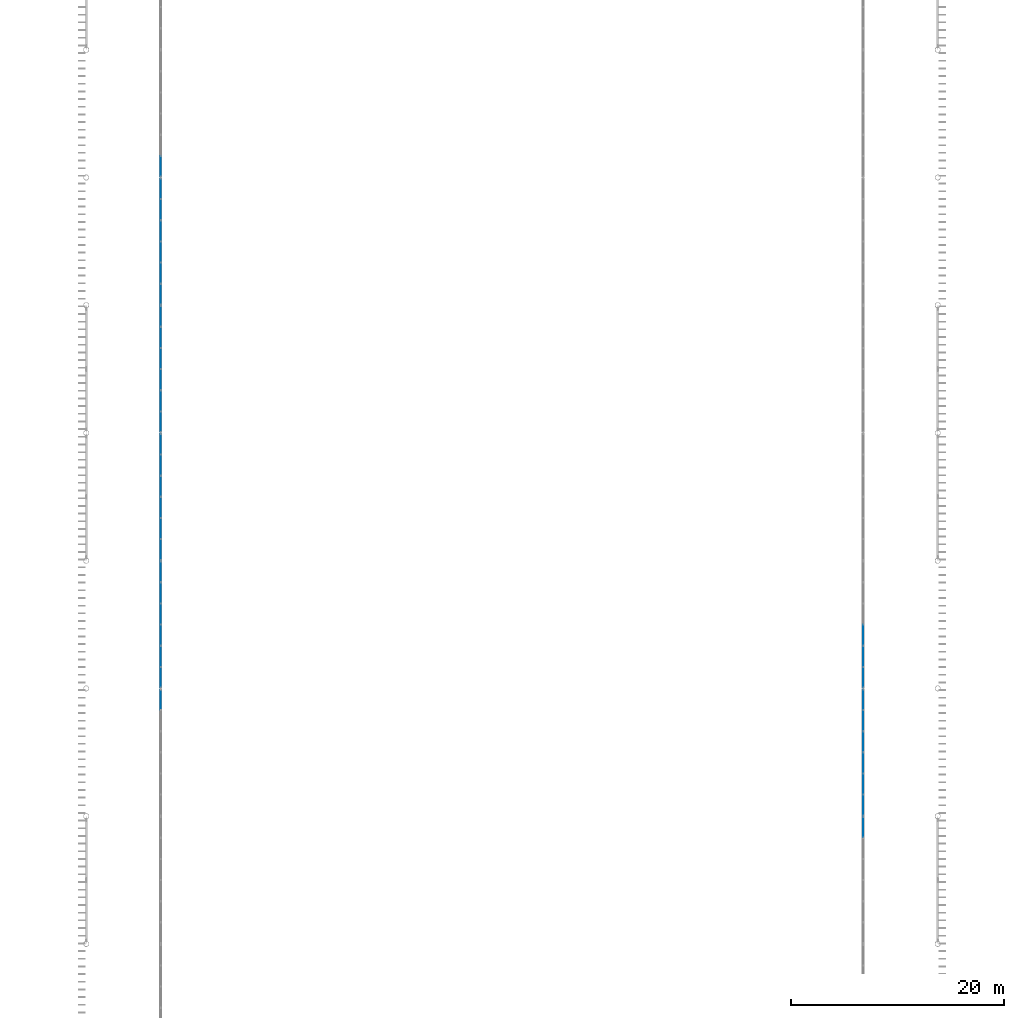
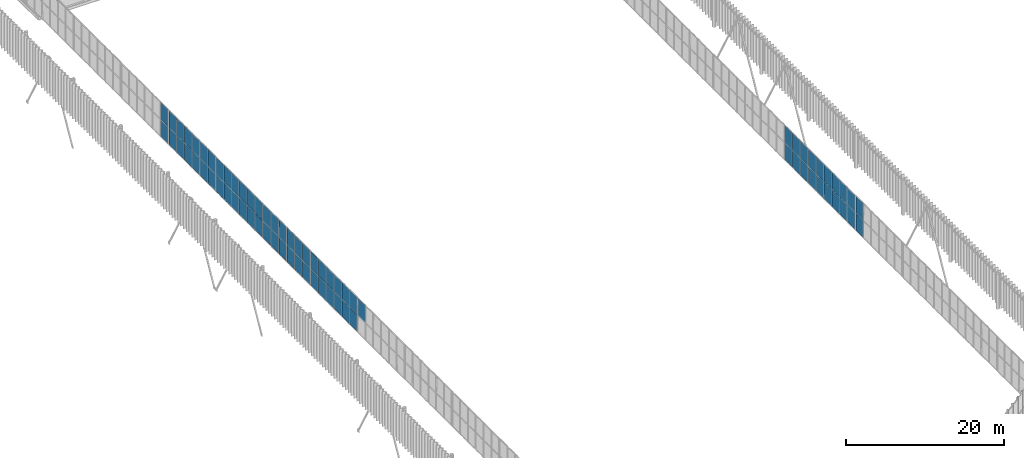
# One storey, part 89 of 170: 71 plates, 9 elements without a shape of their own.
"""IFC4 building model written with IfcOpenShell, lengths in metres."""

from ifc_helpers import new_model, si_unit, direction, frame, origin, origin_2d, place, context, subcontext, project, spatial, rectangle, extrude, material, layer, layer_set, type_object, element, aggregate, save


model = new_model("IFC4")

# Units and contexts
model_context = context("Model", 3, precision=1e-05, world=origin(), true_north=direction((0.0, 1.0)))
body_context = subcontext(model_context, "Body", "Model", "MODEL_VIEW")
ifc_project = project(units=[si_unit("LENGTHUNIT", "METRE"), si_unit("AREAUNIT", "SQUARE_METRE"), si_unit("VOLUMEUNIT", "CUBIC_METRE"), si_unit("PLANEANGLEUNIT", "RADIAN"), si_unit("MASSUNIT", "GRAM", prefix="KILO")], contexts=[model_context])

# Site, building, storey
site_placement = place(None, origin())
site = spatial("IfcSite", under=ifc_project, at=site_placement, CompositionType="ELEMENT")
building_placement = place(site_placement, origin())
building = spatial("IfcBuilding", under=site, at=building_placement, Name="Ravi Spectrum Wholesale Market", CompositionType="ELEMENT")
storey_placement = place(building_placement, frame((0.0, 0.0, 5.39990234375)))
storey = spatial("IfcBuildingStorey", under=building, at=storey_placement, Name="L01", CompositionType="ELEMENT", Elevation=5.39990234375)

# Curtain wall, plate
ifc_material_1 = material(Name="Aluminium 6063-T6", Category="aluminium")
ifc_layer_1 = layer(ifc_material_1, 0.14990234375)
ifc_layer_set_1 = layer_set([ifc_layer_1], Name="Aluminium 6063-T6")
curtain_wall_type = type_object("IfcCurtainWallType", Name="Curtain wall 150", PredefinedType="NOTDEFINED", material=ifc_layer_set_1)
curtain_wall_1_placement = place(storey_placement, origin())
curtain_wall_1 = element("IfcCurtainWall", 1, at=curtain_wall_1_placement, inside=storey, type_object=curtain_wall_type, Name="H1-CW-L01-005", PredefinedType="NOTDEFINED")
ifc_material_2 = material(Name="Toughened glass", Category="glass")
ifc_layer_2 = layer(ifc_material_2, 0.028076171875)
ifc_layer_set_2 = layer_set([ifc_layer_2], Name="Toughened glass")
plate_type = type_object("IfcPlateType", Name="Glazing panel 28", PredefinedType="CURTAIN_PANEL", material=ifc_layer_set_2)
plate_1_placement = place(storey_placement, frame((37.0, 88.95166015625, 2.72998046875), z_axis=(0.0, 0.0, 1.0), x_axis=(0.0, 1.0, 0.0)))
plate_1 = element("IfcPlate", 2, at=plate_1_placement, type_object=plate_type, Name="H1-CW-L01-005 panel 6.2", PredefinedType="CURTAIN_PANEL", context=body_context, shape_type="SweptSolid", body=[
    extrude(rectangle(XDim=1.896728515625, YDim=0.028076171875, at=origin_2d()), origin(), (0.0, 0.0, 1.0), 2.610107421875),
])
aggregate(curtain_wall_1, [plate_1])

# Curtain wall, plates
curtain_wall_2_placement = place(storey_placement, origin())
curtain_wall_2 = element("IfcCurtainWall", 3, at=curtain_wall_2_placement, inside=storey, type_object=curtain_wall_type, Name="H1-CW-L01-006", PredefinedType="NOTDEFINED")
plate_2_placement = place(storey_placement, frame((37.0, 91.04833984375, 0.06005859375), z_axis=(0.0, 0.0, 1.0), x_axis=(0.0, 1.0, 0.0)))
plate_2 = element("IfcPlate", 4, at=plate_2_placement, type_object=plate_type, Name="H1-CW-L01-006 panel 1.1", PredefinedType="CURTAIN_PANEL", context=body_context, shape_type="SweptSolid", body=[
    extrude(rectangle(XDim=1.896728515625, YDim=0.028076171875, at=origin_2d()), origin(), (0.0, 0.0, 1.0), 2.610107421875),
])
plate_3_placement = place(storey_placement, frame((37.0, 91.04833984375, 2.72998046875), z_axis=(0.0, 0.0, 1.0), x_axis=(0.0, 1.0, 0.0)))
plate_3 = element("IfcPlate", 5, at=plate_3_placement, type_object=plate_type, Name="H1-CW-L01-006 panel 1.2", PredefinedType="CURTAIN_PANEL", context=body_context, shape_type="SweptSolid", body=[
    extrude(rectangle(XDim=1.896728515625, YDim=0.028076171875, at=origin_2d()), origin(), (0.0, 0.0, 1.0), 2.610107421875),
])
plate_4_placement = place(storey_placement, frame((37.0, 93.02001953125, 0.06005859375), z_axis=(0.0, 0.0, 1.0), x_axis=(0.0, 1.0, 0.0)))
plate_4 = element("IfcPlate", 6, at=plate_4_placement, type_object=plate_type, Name="H1-CW-L01-006 panel 2.1", PredefinedType="CURTAIN_PANEL", context=body_context, shape_type="SweptSolid", body=[
    extrude(rectangle(XDim=1.9267578125, YDim=0.028076171875, at=origin_2d()), origin(), (0.0, 0.0, 1.0), 2.610107421875),
])
plate_5_placement = place(storey_placement, frame((37.0, 93.02001953125, 2.72998046875), z_axis=(0.0, 0.0, 1.0), x_axis=(0.0, 1.0, 0.0)))
plate_5 = element("IfcPlate", 7, at=plate_5_placement, type_object=plate_type, Name="H1-CW-L01-006 panel 2.2", PredefinedType="CURTAIN_PANEL", context=body_context, shape_type="SweptSolid", body=[
    extrude(rectangle(XDim=1.9267578125, YDim=0.028076171875, at=origin_2d()), origin(), (0.0, 0.0, 1.0), 2.610107421875),
])
plate_6_placement = place(storey_placement, frame((37.0, 95.006591796875, 0.06005859375), z_axis=(0.0, 0.0, 1.0), x_axis=(0.0, 1.0, 0.0)))
plate_6 = element("IfcPlate", 8, at=plate_6_placement, type_object=plate_type, Name="H1-CW-L01-006 panel 3.1", PredefinedType="CURTAIN_PANEL", context=body_context, shape_type="SweptSolid", body=[
    extrude(rectangle(XDim=1.9267578125, YDim=0.028076171875, at=origin_2d()), origin(), (0.0, 0.0, 1.0), 2.610107421875),
])
plate_7_placement = place(storey_placement, frame((37.0, 95.006591796875, 2.72998046875), z_axis=(0.0, 0.0, 1.0), x_axis=(0.0, 1.0, 0.0)))
plate_7 = element("IfcPlate", 9, at=plate_7_placement, type_object=plate_type, Name="H1-CW-L01-006 panel 3.2", PredefinedType="CURTAIN_PANEL", context=body_context, shape_type="SweptSolid", body=[
    extrude(rectangle(XDim=1.9267578125, YDim=0.028076171875, at=origin_2d()), origin(), (0.0, 0.0, 1.0), 2.610107421875),
])
plate_8_placement = place(storey_placement, frame((37.0, 96.993408203125, 0.06005859375), z_axis=(0.0, 0.0, 1.0), x_axis=(0.0, 1.0, 0.0)))
plate_8 = element("IfcPlate", 10, at=plate_8_placement, type_object=plate_type, Name="H1-CW-L01-006 panel 4.1", PredefinedType="CURTAIN_PANEL", context=body_context, shape_type="SweptSolid", body=[
    extrude(rectangle(XDim=1.9267578125, YDim=0.028076171875, at=origin_2d()), origin(), (0.0, 0.0, 1.0), 2.610107421875),
])
plate_9_placement = place(storey_placement, frame((37.0, 96.993408203125, 2.72998046875), z_axis=(0.0, 0.0, 1.0), x_axis=(0.0, 1.0, 0.0)))
plate_9 = element("IfcPlate", 11, at=plate_9_placement, type_object=plate_type, Name="H1-CW-L01-006 panel 4.2", PredefinedType="CURTAIN_PANEL", context=body_context, shape_type="SweptSolid", body=[
    extrude(rectangle(XDim=1.9267578125, YDim=0.028076171875, at=origin_2d()), origin(), (0.0, 0.0, 1.0), 2.610107421875),
])
plate_10_placement = place(storey_placement, frame((37.0, 98.97998046875, 0.06005859375), z_axis=(0.0, 0.0, 1.0), x_axis=(0.0, 1.0, 0.0)))
plate_10 = element("IfcPlate", 12, at=plate_10_placement, type_object=plate_type, Name="H1-CW-L01-006 panel 5.1", PredefinedType="CURTAIN_PANEL", context=body_context, shape_type="SweptSolid", body=[
    extrude(rectangle(XDim=1.9267578125, YDim=0.028076171875, at=origin_2d()), origin(), (0.0, 0.0, 1.0), 2.610107421875),
])
plate_11_placement = place(storey_placement, frame((37.0, 98.97998046875, 2.72998046875), z_axis=(0.0, 0.0, 1.0), x_axis=(0.0, 1.0, 0.0)))
plate_11 = element("IfcPlate", 13, at=plate_11_placement, type_object=plate_type, Name="H1-CW-L01-006 panel 5.2", PredefinedType="CURTAIN_PANEL", context=body_context, shape_type="SweptSolid", body=[
    extrude(rectangle(XDim=1.9267578125, YDim=0.028076171875, at=origin_2d()), origin(), (0.0, 0.0, 1.0), 2.610107421875),
])
plate_12_placement = place(storey_placement, frame((37.0, 100.95166015625, 0.06005859375), z_axis=(0.0, 0.0, 1.0), x_axis=(0.0, 1.0, 0.0)))
plate_12 = element("IfcPlate", 14, at=plate_12_placement, type_object=plate_type, Name="H1-CW-L01-006 panel 6.1", PredefinedType="CURTAIN_PANEL", context=body_context, shape_type="SweptSolid", body=[
    extrude(rectangle(XDim=1.896728515625, YDim=0.028076171875, at=origin_2d()), origin(), (0.0, 0.0, 1.0), 2.610107421875),
])
plate_13_placement = place(storey_placement, frame((37.0, 100.95166015625, 2.72998046875), z_axis=(0.0, 0.0, 1.0), x_axis=(0.0, 1.0, 0.0)))
plate_13 = element("IfcPlate", 15, at=plate_13_placement, type_object=plate_type, Name="H1-CW-L01-006 panel 6.2", PredefinedType="CURTAIN_PANEL", context=body_context, shape_type="SweptSolid", body=[
    extrude(rectangle(XDim=1.896728515625, YDim=0.028076171875, at=origin_2d()), origin(), (0.0, 0.0, 1.0), 2.610107421875),
])
aggregate(curtain_wall_2, [plate_2, plate_3, plate_4, plate_5, plate_6, plate_7, plate_8, plate_9, plate_10, plate_11, plate_12, plate_13])

curtain_wall_3_placement = place(storey_placement, origin())
curtain_wall_3 = element("IfcCurtainWall", 16, at=curtain_wall_3_placement, inside=storey, type_object=curtain_wall_type, Name="H1-CW-L01-007", PredefinedType="NOTDEFINED")
plate_14_placement = place(storey_placement, frame((37.0, 103.04833984375, 0.06005859375), z_axis=(0.0, 0.0, 1.0), x_axis=(0.0, 1.0, 0.0)))
plate_14 = element("IfcPlate", 17, at=plate_14_placement, type_object=plate_type, Name="H1-CW-L01-007 panel 1.1", PredefinedType="CURTAIN_PANEL", context=body_context, shape_type="SweptSolid", body=[
    extrude(rectangle(XDim=1.896728515625, YDim=0.028076171875, at=origin_2d()), origin(), (0.0, 0.0, 1.0), 2.610107421875),
])
plate_15_placement = place(storey_placement, frame((37.0, 103.04833984375, 2.72998046875), z_axis=(0.0, 0.0, 1.0), x_axis=(0.0, 1.0, 0.0)))
plate_15 = element("IfcPlate", 18, at=plate_15_placement, type_object=plate_type, Name="H1-CW-L01-007 panel 1.2", PredefinedType="CURTAIN_PANEL", context=body_context, shape_type="SweptSolid", body=[
    extrude(rectangle(XDim=1.896728515625, YDim=0.028076171875, at=origin_2d()), origin(), (0.0, 0.0, 1.0), 2.610107421875),
])
plate_16_placement = place(storey_placement, frame((37.0, 105.02001953125, 0.06005859375), z_axis=(0.0, 0.0, 1.0), x_axis=(0.0, 1.0, 0.0)))
plate_16 = element("IfcPlate", 19, at=plate_16_placement, type_object=plate_type, Name="H1-CW-L01-007 panel 2.1", PredefinedType="CURTAIN_PANEL", context=body_context, shape_type="SweptSolid", body=[
    extrude(rectangle(XDim=1.9267578125, YDim=0.028076171875, at=origin_2d()), origin(), (0.0, 0.0, 1.0), 2.610107421875),
])
plate_17_placement = place(storey_placement, frame((37.0, 105.02001953125, 2.72998046875), z_axis=(0.0, 0.0, 1.0), x_axis=(0.0, 1.0, 0.0)))
plate_17 = element("IfcPlate", 20, at=plate_17_placement, type_object=plate_type, Name="H1-CW-L01-007 panel 2.2", PredefinedType="CURTAIN_PANEL", context=body_context, shape_type="SweptSolid", body=[
    extrude(rectangle(XDim=1.9267578125, YDim=0.028076171875, at=origin_2d()), origin(), (0.0, 0.0, 1.0), 2.610107421875),
])
plate_18_placement = place(storey_placement, frame((37.0, 107.006591796875, 0.06005859375), z_axis=(0.0, 0.0, 1.0), x_axis=(0.0, 1.0, 0.0)))
plate_18 = element("IfcPlate", 21, at=plate_18_placement, type_object=plate_type, Name="H1-CW-L01-007 panel 3.1", PredefinedType="CURTAIN_PANEL", context=body_context, shape_type="SweptSolid", body=[
    extrude(rectangle(XDim=1.9267578125, YDim=0.028076171875, at=origin_2d()), origin(), (0.0, 0.0, 1.0), 2.610107421875),
])
plate_19_placement = place(storey_placement, frame((37.0, 107.006591796875, 2.72998046875), z_axis=(0.0, 0.0, 1.0), x_axis=(0.0, 1.0, 0.0)))
plate_19 = element("IfcPlate", 22, at=plate_19_placement, type_object=plate_type, Name="H1-CW-L01-007 panel 3.2", PredefinedType="CURTAIN_PANEL", context=body_context, shape_type="SweptSolid", body=[
    extrude(rectangle(XDim=1.9267578125, YDim=0.028076171875, at=origin_2d()), origin(), (0.0, 0.0, 1.0), 2.610107421875),
])
plate_20_placement = place(storey_placement, frame((37.0, 108.993408203125, 0.06005859375), z_axis=(0.0, 0.0, 1.0), x_axis=(0.0, 1.0, 0.0)))
plate_20 = element("IfcPlate", 23, at=plate_20_placement, type_object=plate_type, Name="H1-CW-L01-007 panel 4.1", PredefinedType="CURTAIN_PANEL", context=body_context, shape_type="SweptSolid", body=[
    extrude(rectangle(XDim=1.9267578125, YDim=0.028076171875, at=origin_2d()), origin(), (0.0, 0.0, 1.0), 2.610107421875),
])
plate_21_placement = place(storey_placement, frame((37.0, 108.993408203125, 2.72998046875), z_axis=(0.0, 0.0, 1.0), x_axis=(0.0, 1.0, 0.0)))
plate_21 = element("IfcPlate", 24, at=plate_21_placement, type_object=plate_type, Name="H1-CW-L01-007 panel 4.2", PredefinedType="CURTAIN_PANEL", context=body_context, shape_type="SweptSolid", body=[
    extrude(rectangle(XDim=1.9267578125, YDim=0.028076171875, at=origin_2d()), origin(), (0.0, 0.0, 1.0), 2.610107421875),
])
plate_22_placement = place(storey_placement, frame((37.0, 110.97998046875, 0.06005859375), z_axis=(0.0, 0.0, 1.0), x_axis=(0.0, 1.0, 0.0)))
plate_22 = element("IfcPlate", 25, at=plate_22_placement, type_object=plate_type, Name="H1-CW-L01-007 panel 5.1", PredefinedType="CURTAIN_PANEL", context=body_context, shape_type="SweptSolid", body=[
    extrude(rectangle(XDim=1.9267578125, YDim=0.028076171875, at=origin_2d()), origin(), (0.0, 0.0, 1.0), 2.610107421875),
])
plate_23_placement = place(storey_placement, frame((37.0, 110.97998046875, 2.72998046875), z_axis=(0.0, 0.0, 1.0), x_axis=(0.0, 1.0, 0.0)))
plate_23 = element("IfcPlate", 26, at=plate_23_placement, type_object=plate_type, Name="H1-CW-L01-007 panel 5.2", PredefinedType="CURTAIN_PANEL", context=body_context, shape_type="SweptSolid", body=[
    extrude(rectangle(XDim=1.9267578125, YDim=0.028076171875, at=origin_2d()), origin(), (0.0, 0.0, 1.0), 2.610107421875),
])
plate_24_placement = place(storey_placement, frame((37.0, 112.95166015625, 0.06005859375), z_axis=(0.0, 0.0, 1.0), x_axis=(0.0, 1.0, 0.0)))
plate_24 = element("IfcPlate", 27, at=plate_24_placement, type_object=plate_type, Name="H1-CW-L01-007 panel 6.1", PredefinedType="CURTAIN_PANEL", context=body_context, shape_type="SweptSolid", body=[
    extrude(rectangle(XDim=1.896728515625, YDim=0.028076171875, at=origin_2d()), origin(), (0.0, 0.0, 1.0), 2.610107421875),
])
plate_25_placement = place(storey_placement, frame((37.0, 112.95166015625, 2.72998046875), z_axis=(0.0, 0.0, 1.0), x_axis=(0.0, 1.0, 0.0)))
plate_25 = element("IfcPlate", 28, at=plate_25_placement, type_object=plate_type, Name="H1-CW-L01-007 panel 6.2", PredefinedType="CURTAIN_PANEL", context=body_context, shape_type="SweptSolid", body=[
    extrude(rectangle(XDim=1.896728515625, YDim=0.028076171875, at=origin_2d()), origin(), (0.0, 0.0, 1.0), 2.610107421875),
])
aggregate(curtain_wall_3, [plate_14, plate_15, plate_16, plate_17, plate_18, plate_19, plate_20, plate_21, plate_22, plate_23, plate_24, plate_25])

curtain_wall_4_placement = place(storey_placement, origin())
curtain_wall_4 = element("IfcCurtainWall", 29, at=curtain_wall_4_placement, inside=storey, type_object=curtain_wall_type, Name="H1-CW-L01-008", PredefinedType="NOTDEFINED")
plate_26_placement = place(storey_placement, frame((37.0, 115.04833984375, 0.06005859375), z_axis=(0.0, 0.0, 1.0), x_axis=(0.0, 1.0, 0.0)))
plate_26 = element("IfcPlate", 30, at=plate_26_placement, type_object=plate_type, Name="H1-CW-L01-008 panel 1.1", PredefinedType="CURTAIN_PANEL", context=body_context, shape_type="SweptSolid", body=[
    extrude(rectangle(XDim=1.896728515625, YDim=0.028076171875, at=origin_2d()), origin(), (0.0, 0.0, 1.0), 2.610107421875),
])
plate_27_placement = place(storey_placement, frame((37.0, 115.04833984375, 2.72998046875), z_axis=(0.0, 0.0, 1.0), x_axis=(0.0, 1.0, 0.0)))
plate_27 = element("IfcPlate", 31, at=plate_27_placement, type_object=plate_type, Name="H1-CW-L01-008 panel 1.2", PredefinedType="CURTAIN_PANEL", context=body_context, shape_type="SweptSolid", body=[
    extrude(rectangle(XDim=1.896728515625, YDim=0.028076171875, at=origin_2d()), origin(), (0.0, 0.0, 1.0), 2.610107421875),
])
plate_28_placement = place(storey_placement, frame((37.0, 117.02001953125, 0.06005859375), z_axis=(0.0, 0.0, 1.0), x_axis=(0.0, 1.0, 0.0)))
plate_28 = element("IfcPlate", 32, at=plate_28_placement, type_object=plate_type, Name="H1-CW-L01-008 panel 2.1", PredefinedType="CURTAIN_PANEL", context=body_context, shape_type="SweptSolid", body=[
    extrude(rectangle(XDim=1.9267578125, YDim=0.028076171875, at=origin_2d()), origin(), (0.0, 0.0, 1.0), 2.610107421875),
])
plate_29_placement = place(storey_placement, frame((37.0, 117.02001953125, 2.72998046875), z_axis=(0.0, 0.0, 1.0), x_axis=(0.0, 1.0, 0.0)))
plate_29 = element("IfcPlate", 33, at=plate_29_placement, type_object=plate_type, Name="H1-CW-L01-008 panel 2.2", PredefinedType="CURTAIN_PANEL", context=body_context, shape_type="SweptSolid", body=[
    extrude(rectangle(XDim=1.9267578125, YDim=0.028076171875, at=origin_2d()), origin(), (0.0, 0.0, 1.0), 2.610107421875),
])
plate_30_placement = place(storey_placement, frame((37.0, 119.006591796875, 0.06005859375), z_axis=(0.0, 0.0, 1.0), x_axis=(0.0, 1.0, 0.0)))
plate_30 = element("IfcPlate", 34, at=plate_30_placement, type_object=plate_type, Name="H1-CW-L01-008 panel 3.1", PredefinedType="CURTAIN_PANEL", context=body_context, shape_type="SweptSolid", body=[
    extrude(rectangle(XDim=1.9267578125, YDim=0.028076171875, at=origin_2d()), origin(), (0.0, 0.0, 1.0), 2.610107421875),
])
plate_31_placement = place(storey_placement, frame((37.0, 119.006591796875, 2.72998046875), z_axis=(0.0, 0.0, 1.0), x_axis=(0.0, 1.0, 0.0)))
plate_31 = element("IfcPlate", 35, at=plate_31_placement, type_object=plate_type, Name="H1-CW-L01-008 panel 3.2", PredefinedType="CURTAIN_PANEL", context=body_context, shape_type="SweptSolid", body=[
    extrude(rectangle(XDim=1.9267578125, YDim=0.028076171875, at=origin_2d()), origin(), (0.0, 0.0, 1.0), 2.610107421875),
])
plate_32_placement = place(storey_placement, frame((37.0, 120.993408203125, 0.06005859375), z_axis=(0.0, 0.0, 1.0), x_axis=(0.0, 1.0, 0.0)))
plate_32 = element("IfcPlate", 36, at=plate_32_placement, type_object=plate_type, Name="H1-CW-L01-008 panel 4.1", PredefinedType="CURTAIN_PANEL", context=body_context, shape_type="SweptSolid", body=[
    extrude(rectangle(XDim=1.9267578125, YDim=0.028076171875, at=origin_2d()), origin(), (0.0, 0.0, 1.0), 2.610107421875),
])
plate_33_placement = place(storey_placement, frame((37.0, 120.993408203125, 2.72998046875), z_axis=(0.0, 0.0, 1.0), x_axis=(0.0, 1.0, 0.0)))
plate_33 = element("IfcPlate", 37, at=plate_33_placement, type_object=plate_type, Name="H1-CW-L01-008 panel 4.2", PredefinedType="CURTAIN_PANEL", context=body_context, shape_type="SweptSolid", body=[
    extrude(rectangle(XDim=1.9267578125, YDim=0.028076171875, at=origin_2d()), origin(), (0.0, 0.0, 1.0), 2.610107421875),
])
plate_34_placement = place(storey_placement, frame((37.0, 122.97998046875, 0.06005859375), z_axis=(0.0, 0.0, 1.0), x_axis=(0.0, 1.0, 0.0)))
plate_34 = element("IfcPlate", 38, at=plate_34_placement, type_object=plate_type, Name="H1-CW-L01-008 panel 5.1", PredefinedType="CURTAIN_PANEL", context=body_context, shape_type="SweptSolid", body=[
    extrude(rectangle(XDim=1.9267578125, YDim=0.028076171875, at=origin_2d()), origin(), (0.0, 0.0, 1.0), 2.610107421875),
])
plate_35_placement = place(storey_placement, frame((37.0, 122.97998046875, 2.72998046875), z_axis=(0.0, 0.0, 1.0), x_axis=(0.0, 1.0, 0.0)))
plate_35 = element("IfcPlate", 39, at=plate_35_placement, type_object=plate_type, Name="H1-CW-L01-008 panel 5.2", PredefinedType="CURTAIN_PANEL", context=body_context, shape_type="SweptSolid", body=[
    extrude(rectangle(XDim=1.9267578125, YDim=0.028076171875, at=origin_2d()), origin(), (0.0, 0.0, 1.0), 2.610107421875),
])
plate_36_placement = place(storey_placement, frame((37.0, 124.95166015625, 0.06005859375), z_axis=(0.0, 0.0, 1.0), x_axis=(0.0, 1.0, 0.0)))
plate_36 = element("IfcPlate", 40, at=plate_36_placement, type_object=plate_type, Name="H1-CW-L01-008 panel 6.1", PredefinedType="CURTAIN_PANEL", context=body_context, shape_type="SweptSolid", body=[
    extrude(rectangle(XDim=1.896728515625, YDim=0.028076171875, at=origin_2d()), origin(), (0.0, 0.0, 1.0), 2.610107421875),
])
plate_37_placement = place(storey_placement, frame((37.0, 124.95166015625, 2.72998046875), z_axis=(0.0, 0.0, 1.0), x_axis=(0.0, 1.0, 0.0)))
plate_37 = element("IfcPlate", 41, at=plate_37_placement, type_object=plate_type, Name="H1-CW-L01-008 panel 6.2", PredefinedType="CURTAIN_PANEL", context=body_context, shape_type="SweptSolid", body=[
    extrude(rectangle(XDim=1.896728515625, YDim=0.028076171875, at=origin_2d()), origin(), (0.0, 0.0, 1.0), 2.610107421875),
])
aggregate(curtain_wall_4, [plate_26, plate_27, plate_28, plate_29, plate_30, plate_31, plate_32, plate_33, plate_34, plate_35, plate_36, plate_37])

curtain_wall_5_placement = place(storey_placement, origin())
curtain_wall_5 = element("IfcCurtainWall", 42, at=curtain_wall_5_placement, inside=storey, type_object=curtain_wall_type, Name="H1-CW-L01-009", PredefinedType="NOTDEFINED")
plate_38_placement = place(storey_placement, frame((37.0, 127.04833984375, 0.06005859375), z_axis=(0.0, 0.0, 1.0), x_axis=(0.0, 1.0, 0.0)))
plate_38 = element("IfcPlate", 43, at=plate_38_placement, type_object=plate_type, Name="H1-CW-L01-009 panel 1.1", PredefinedType="CURTAIN_PANEL", context=body_context, shape_type="SweptSolid", body=[
    extrude(rectangle(XDim=1.896728515625, YDim=0.028076171875, at=origin_2d()), origin(), (0.0, 0.0, 1.0), 2.610107421875),
])
plate_39_placement = place(storey_placement, frame((37.0, 127.04833984375, 2.72998046875), z_axis=(0.0, 0.0, 1.0), x_axis=(0.0, 1.0, 0.0)))
plate_39 = element("IfcPlate", 44, at=plate_39_placement, type_object=plate_type, Name="H1-CW-L01-009 panel 1.2", PredefinedType="CURTAIN_PANEL", context=body_context, shape_type="SweptSolid", body=[
    extrude(rectangle(XDim=1.896728515625, YDim=0.028076171875, at=origin_2d()), origin(), (0.0, 0.0, 1.0), 2.610107421875),
])
plate_40_placement = place(storey_placement, frame((37.0, 129.02001953125, 0.06005859375), z_axis=(0.0, 0.0, 1.0), x_axis=(0.0, 1.0, 0.0)))
plate_40 = element("IfcPlate", 45, at=plate_40_placement, type_object=plate_type, Name="H1-CW-L01-009 panel 2.1", PredefinedType="CURTAIN_PANEL", context=body_context, shape_type="SweptSolid", body=[
    extrude(rectangle(XDim=1.9267578125, YDim=0.028076171875, at=origin_2d()), origin(), (0.0, 0.0, 1.0), 2.610107421875),
])
plate_41_placement = place(storey_placement, frame((37.0, 129.02001953125, 2.72998046875), z_axis=(0.0, 0.0, 1.0), x_axis=(0.0, 1.0, 0.0)))
plate_41 = element("IfcPlate", 46, at=plate_41_placement, type_object=plate_type, Name="H1-CW-L01-009 panel 2.2", PredefinedType="CURTAIN_PANEL", context=body_context, shape_type="SweptSolid", body=[
    extrude(rectangle(XDim=1.9267578125, YDim=0.028076171875, at=origin_2d()), origin(), (0.0, 0.0, 1.0), 2.610107421875),
])
plate_42_placement = place(storey_placement, frame((37.0, 131.006591796875, 0.06005859375), z_axis=(0.0, 0.0, 1.0), x_axis=(0.0, 1.0, 0.0)))
plate_42 = element("IfcPlate", 47, at=plate_42_placement, type_object=plate_type, Name="H1-CW-L01-009 panel 3.1", PredefinedType="CURTAIN_PANEL", context=body_context, shape_type="SweptSolid", body=[
    extrude(rectangle(XDim=1.9267578125, YDim=0.028076171875, at=origin_2d()), origin(), (0.0, 0.0, 1.0), 2.610107421875),
])
plate_43_placement = place(storey_placement, frame((37.0, 131.006591796875, 2.72998046875), z_axis=(0.0, 0.0, 1.0), x_axis=(0.0, 1.0, 0.0)))
plate_43 = element("IfcPlate", 48, at=plate_43_placement, type_object=plate_type, Name="H1-CW-L01-009 panel 3.2", PredefinedType="CURTAIN_PANEL", context=body_context, shape_type="SweptSolid", body=[
    extrude(rectangle(XDim=1.9267578125, YDim=0.028076171875, at=origin_2d()), origin(), (0.0, 0.0, 1.0), 2.610107421875),
])
plate_44_placement = place(storey_placement, frame((37.0, 132.993408203125, 0.06005859375), z_axis=(0.0, 0.0, 1.0), x_axis=(0.0, 1.0, 0.0)))
plate_44 = element("IfcPlate", 49, at=plate_44_placement, type_object=plate_type, Name="H1-CW-L01-009 panel 4.1", PredefinedType="CURTAIN_PANEL", context=body_context, shape_type="SweptSolid", body=[
    extrude(rectangle(XDim=1.9267578125, YDim=0.028076171875, at=origin_2d()), origin(), (0.0, 0.0, 1.0), 2.610107421875),
])
plate_45_placement = place(storey_placement, frame((37.0, 132.993408203125, 2.72998046875), z_axis=(0.0, 0.0, 1.0), x_axis=(0.0, 1.0, 0.0)))
plate_45 = element("IfcPlate", 50, at=plate_45_placement, type_object=plate_type, Name="H1-CW-L01-009 panel 4.2", PredefinedType="CURTAIN_PANEL", context=body_context, shape_type="SweptSolid", body=[
    extrude(rectangle(XDim=1.9267578125, YDim=0.028076171875, at=origin_2d()), origin(), (0.0, 0.0, 1.0), 2.610107421875),
])
plate_46_placement = place(storey_placement, frame((37.0, 134.97998046875, 0.06005859375), z_axis=(0.0, 0.0, 1.0), x_axis=(0.0, 1.0, 0.0)))
plate_46 = element("IfcPlate", 51, at=plate_46_placement, type_object=plate_type, Name="H1-CW-L01-009 panel 5.1", PredefinedType="CURTAIN_PANEL", context=body_context, shape_type="SweptSolid", body=[
    extrude(rectangle(XDim=1.9267578125, YDim=0.028076171875, at=origin_2d()), origin(), (0.0, 0.0, 1.0), 2.610107421875),
])
plate_47_placement = place(storey_placement, frame((37.0, 134.97998046875, 2.72998046875), z_axis=(0.0, 0.0, 1.0), x_axis=(0.0, 1.0, 0.0)))
plate_47 = element("IfcPlate", 52, at=plate_47_placement, type_object=plate_type, Name="H1-CW-L01-009 panel 5.2", PredefinedType="CURTAIN_PANEL", context=body_context, shape_type="SweptSolid", body=[
    extrude(rectangle(XDim=1.9267578125, YDim=0.028076171875, at=origin_2d()), origin(), (0.0, 0.0, 1.0), 2.610107421875),
])
plate_48_placement = place(storey_placement, frame((37.0, 136.95166015625, 0.06005859375), z_axis=(0.0, 0.0, 1.0), x_axis=(0.0, 1.0, 0.0)))
plate_48 = element("IfcPlate", 53, at=plate_48_placement, type_object=plate_type, Name="H1-CW-L01-009 panel 6.1", PredefinedType="CURTAIN_PANEL", context=body_context, shape_type="SweptSolid", body=[
    extrude(rectangle(XDim=1.896728515625, YDim=0.028076171875, at=origin_2d()), origin(), (0.0, 0.0, 1.0), 2.610107421875),
])
plate_49_placement = place(storey_placement, frame((37.0, 136.95166015625, 2.72998046875), z_axis=(0.0, 0.0, 1.0), x_axis=(0.0, 1.0, 0.0)))
plate_49 = element("IfcPlate", 54, at=plate_49_placement, type_object=plate_type, Name="H1-CW-L01-009 panel 6.2", PredefinedType="CURTAIN_PANEL", context=body_context, shape_type="SweptSolid", body=[
    extrude(rectangle(XDim=1.896728515625, YDim=0.028076171875, at=origin_2d()), origin(), (0.0, 0.0, 1.0), 2.610107421875),
])
aggregate(curtain_wall_5, [plate_38, plate_39, plate_40, plate_41, plate_42, plate_43, plate_44, plate_45, plate_46, plate_47, plate_48, plate_49])

curtain_wall_6_placement = place(storey_placement, origin())
curtain_wall_6 = element("IfcCurtainWall", 55, at=curtain_wall_6_placement, inside=storey, type_object=curtain_wall_type, Name="H1-CW-L01-010", PredefinedType="NOTDEFINED")
plate_50_placement = place(storey_placement, frame((37.0, 139.04833984375, 0.06005859375), z_axis=(0.0, 0.0, 1.0), x_axis=(0.0, 1.0, 0.0)))
plate_50 = element("IfcPlate", 56, at=plate_50_placement, type_object=plate_type, Name="H1-CW-L01-010 panel 1.1", PredefinedType="CURTAIN_PANEL", context=body_context, shape_type="SweptSolid", body=[
    extrude(rectangle(XDim=1.896728515625, YDim=0.028076171875, at=origin_2d()), origin(), (0.0, 0.0, 1.0), 2.610107421875),
])
plate_51_placement = place(storey_placement, frame((37.0, 139.04833984375, 2.72998046875), z_axis=(0.0, 0.0, 1.0), x_axis=(0.0, 1.0, 0.0)))
plate_51 = element("IfcPlate", 57, at=plate_51_placement, type_object=plate_type, Name="H1-CW-L01-010 panel 1.2", PredefinedType="CURTAIN_PANEL", context=body_context, shape_type="SweptSolid", body=[
    extrude(rectangle(XDim=1.896728515625, YDim=0.028076171875, at=origin_2d()), origin(), (0.0, 0.0, 1.0), 2.610107421875),
])
aggregate(curtain_wall_6, [plate_50, plate_51])

curtain_wall_7_placement = place(storey_placement, origin())
curtain_wall_7 = element("IfcCurtainWall", 58, at=curtain_wall_7_placement, inside=storey, type_object=curtain_wall_type, Name="H1-CW-L01-018", PredefinedType="NOTDEFINED")
plate_52_placement = place(storey_placement, frame((103.0, 76.95166015625, 0.06005859375), z_axis=(0.0, 0.0, 1.0), x_axis=(0.0, 1.0, 0.0)))
plate_52 = element("IfcPlate", 59, at=plate_52_placement, type_object=plate_type, Name="H1-CW-L01-018 panel 6.1", PredefinedType="CURTAIN_PANEL", context=body_context, shape_type="SweptSolid", body=[
    extrude(rectangle(XDim=1.896728515625, YDim=0.028076171875, at=origin_2d()), origin(), (0.0, 0.0, 1.0), 2.610107421875),
])
plate_53_placement = place(storey_placement, frame((103.0, 76.95166015625, 2.72998046875), z_axis=(0.0, 0.0, 1.0), x_axis=(0.0, 1.0, 0.0)))
plate_53 = element("IfcPlate", 60, at=plate_53_placement, type_object=plate_type, Name="H1-CW-L01-018 panel 6.2", PredefinedType="CURTAIN_PANEL", context=body_context, shape_type="SweptSolid", body=[
    extrude(rectangle(XDim=1.896728515625, YDim=0.028076171875, at=origin_2d()), origin(), (0.0, 0.0, 1.0), 2.610107421875),
])
aggregate(curtain_wall_7, [plate_52, plate_53])

curtain_wall_8_placement = place(storey_placement, origin())
curtain_wall_8 = element("IfcCurtainWall", 61, at=curtain_wall_8_placement, inside=storey, type_object=curtain_wall_type, Name="H1-CW-L01-019", PredefinedType="NOTDEFINED")
plate_54_placement = place(storey_placement, frame((103.0, 79.04833984375, 0.06005859375), z_axis=(0.0, 0.0, 1.0), x_axis=(0.0, 1.0, 0.0)))
plate_54 = element("IfcPlate", 62, at=plate_54_placement, type_object=plate_type, Name="H1-CW-L01-019 panel 1.1", PredefinedType="CURTAIN_PANEL", context=body_context, shape_type="SweptSolid", body=[
    extrude(rectangle(XDim=1.896728515625, YDim=0.028076171875, at=origin_2d()), origin(), (0.0, 0.0, 1.0), 2.610107421875),
])
plate_55_placement = place(storey_placement, frame((103.0, 79.04833984375, 2.72998046875), z_axis=(0.0, 0.0, 1.0), x_axis=(0.0, 1.0, 0.0)))
plate_55 = element("IfcPlate", 63, at=plate_55_placement, type_object=plate_type, Name="H1-CW-L01-019 panel 1.2", PredefinedType="CURTAIN_PANEL", context=body_context, shape_type="SweptSolid", body=[
    extrude(rectangle(XDim=1.896728515625, YDim=0.028076171875, at=origin_2d()), origin(), (0.0, 0.0, 1.0), 2.610107421875),
])
plate_56_placement = place(storey_placement, frame((103.0, 81.02001953125, 0.06005859375), z_axis=(0.0, 0.0, 1.0), x_axis=(0.0, 1.0, 0.0)))
plate_56 = element("IfcPlate", 64, at=plate_56_placement, type_object=plate_type, Name="H1-CW-L01-019 panel 2.1", PredefinedType="CURTAIN_PANEL", context=body_context, shape_type="SweptSolid", body=[
    extrude(rectangle(XDim=1.9267578125, YDim=0.028076171875, at=origin_2d()), origin(), (0.0, 0.0, 1.0), 2.610107421875),
])
plate_57_placement = place(storey_placement, frame((103.0, 81.02001953125, 2.72998046875), z_axis=(0.0, 0.0, 1.0), x_axis=(0.0, 1.0, 0.0)))
plate_57 = element("IfcPlate", 65, at=plate_57_placement, type_object=plate_type, Name="H1-CW-L01-019 panel 2.2", PredefinedType="CURTAIN_PANEL", context=body_context, shape_type="SweptSolid", body=[
    extrude(rectangle(XDim=1.9267578125, YDim=0.028076171875, at=origin_2d()), origin(), (0.0, 0.0, 1.0), 2.610107421875),
])
plate_58_placement = place(storey_placement, frame((103.0, 83.006591796875, 0.06005859375), z_axis=(0.0, 0.0, 1.0), x_axis=(0.0, 1.0, 0.0)))
plate_58 = element("IfcPlate", 66, at=plate_58_placement, type_object=plate_type, Name="H1-CW-L01-019 panel 3.1", PredefinedType="CURTAIN_PANEL", context=body_context, shape_type="SweptSolid", body=[
    extrude(rectangle(XDim=1.9267578125, YDim=0.028076171875, at=origin_2d()), origin(), (0.0, 0.0, 1.0), 2.610107421875),
])
plate_59_placement = place(storey_placement, frame((103.0, 83.006591796875, 2.72998046875), z_axis=(0.0, 0.0, 1.0), x_axis=(0.0, 1.0, 0.0)))
plate_59 = element("IfcPlate", 67, at=plate_59_placement, type_object=plate_type, Name="H1-CW-L01-019 panel 3.2", PredefinedType="CURTAIN_PANEL", context=body_context, shape_type="SweptSolid", body=[
    extrude(rectangle(XDim=1.9267578125, YDim=0.028076171875, at=origin_2d()), origin(), (0.0, 0.0, 1.0), 2.610107421875),
])
plate_60_placement = place(storey_placement, frame((103.0, 84.993408203125, 0.06005859375), z_axis=(0.0, 0.0, 1.0), x_axis=(0.0, 1.0, 0.0)))
plate_60 = element("IfcPlate", 68, at=plate_60_placement, type_object=plate_type, Name="H1-CW-L01-019 panel 4.1", PredefinedType="CURTAIN_PANEL", context=body_context, shape_type="SweptSolid", body=[
    extrude(rectangle(XDim=1.9267578125, YDim=0.028076171875, at=origin_2d()), origin(), (0.0, 0.0, 1.0), 2.610107421875),
])
plate_61_placement = place(storey_placement, frame((103.0, 84.993408203125, 2.72998046875), z_axis=(0.0, 0.0, 1.0), x_axis=(0.0, 1.0, 0.0)))
plate_61 = element("IfcPlate", 69, at=plate_61_placement, type_object=plate_type, Name="H1-CW-L01-019 panel 4.2", PredefinedType="CURTAIN_PANEL", context=body_context, shape_type="SweptSolid", body=[
    extrude(rectangle(XDim=1.9267578125, YDim=0.028076171875, at=origin_2d()), origin(), (0.0, 0.0, 1.0), 2.610107421875),
])
plate_62_placement = place(storey_placement, frame((103.0, 86.97998046875, 0.06005859375), z_axis=(0.0, 0.0, 1.0), x_axis=(0.0, 1.0, 0.0)))
plate_62 = element("IfcPlate", 70, at=plate_62_placement, type_object=plate_type, Name="H1-CW-L01-019 panel 5.1", PredefinedType="CURTAIN_PANEL", context=body_context, shape_type="SweptSolid", body=[
    extrude(rectangle(XDim=1.9267578125, YDim=0.028076171875, at=origin_2d()), origin(), (0.0, 0.0, 1.0), 2.610107421875),
])
plate_63_placement = place(storey_placement, frame((103.0, 86.97998046875, 2.72998046875), z_axis=(0.0, 0.0, 1.0), x_axis=(0.0, 1.0, 0.0)))
plate_63 = element("IfcPlate", 71, at=plate_63_placement, type_object=plate_type, Name="H1-CW-L01-019 panel 5.2", PredefinedType="CURTAIN_PANEL", context=body_context, shape_type="SweptSolid", body=[
    extrude(rectangle(XDim=1.9267578125, YDim=0.028076171875, at=origin_2d()), origin(), (0.0, 0.0, 1.0), 2.610107421875),
])
plate_64_placement = place(storey_placement, frame((103.0, 88.95166015625, 0.06005859375), z_axis=(0.0, 0.0, 1.0), x_axis=(0.0, 1.0, 0.0)))
plate_64 = element("IfcPlate", 72, at=plate_64_placement, type_object=plate_type, Name="H1-CW-L01-019 panel 6.1", PredefinedType="CURTAIN_PANEL", context=body_context, shape_type="SweptSolid", body=[
    extrude(rectangle(XDim=1.896728515625, YDim=0.028076171875, at=origin_2d()), origin(), (0.0, 0.0, 1.0), 2.610107421875),
])
plate_65_placement = place(storey_placement, frame((103.0, 88.95166015625, 2.72998046875), z_axis=(0.0, 0.0, 1.0), x_axis=(0.0, 1.0, 0.0)))
plate_65 = element("IfcPlate", 73, at=plate_65_placement, type_object=plate_type, Name="H1-CW-L01-019 panel 6.2", PredefinedType="CURTAIN_PANEL", context=body_context, shape_type="SweptSolid", body=[
    extrude(rectangle(XDim=1.896728515625, YDim=0.028076171875, at=origin_2d()), origin(), (0.0, 0.0, 1.0), 2.610107421875),
])
aggregate(curtain_wall_8, [plate_54, plate_55, plate_56, plate_57, plate_58, plate_59, plate_60, plate_61, plate_62, plate_63, plate_64, plate_65])

curtain_wall_9_placement = place(storey_placement, origin())
curtain_wall_9 = element("IfcCurtainWall", 74, at=curtain_wall_9_placement, inside=storey, type_object=curtain_wall_type, Name="H1-CW-L01-020", PredefinedType="NOTDEFINED")
plate_66_placement = place(storey_placement, frame((103.0, 91.04833984375, 0.06005859375), z_axis=(0.0, 0.0, 1.0), x_axis=(0.0, 1.0, 0.0)))
plate_66 = element("IfcPlate", 75, at=plate_66_placement, type_object=plate_type, Name="H1-CW-L01-020 panel 1.1", PredefinedType="CURTAIN_PANEL", context=body_context, shape_type="SweptSolid", body=[
    extrude(rectangle(XDim=1.896728515625, YDim=0.028076171875, at=origin_2d()), origin(), (0.0, 0.0, 1.0), 2.610107421875),
])
plate_67_placement = place(storey_placement, frame((103.0, 91.04833984375, 2.72998046875), z_axis=(0.0, 0.0, 1.0), x_axis=(0.0, 1.0, 0.0)))
plate_67 = element("IfcPlate", 76, at=plate_67_placement, type_object=plate_type, Name="H1-CW-L01-020 panel 1.2", PredefinedType="CURTAIN_PANEL", context=body_context, shape_type="SweptSolid", body=[
    extrude(rectangle(XDim=1.896728515625, YDim=0.028076171875, at=origin_2d()), origin(), (0.0, 0.0, 1.0), 2.610107421875),
])
plate_68_placement = place(storey_placement, frame((103.0, 93.02001953125, 0.06005859375), z_axis=(0.0, 0.0, 1.0), x_axis=(0.0, 1.0, 0.0)))
plate_68 = element("IfcPlate", 77, at=plate_68_placement, type_object=plate_type, Name="H1-CW-L01-020 panel 2.1", PredefinedType="CURTAIN_PANEL", context=body_context, shape_type="SweptSolid", body=[
    extrude(rectangle(XDim=1.9267578125, YDim=0.028076171875, at=origin_2d()), origin(), (0.0, 0.0, 1.0), 2.610107421875),
])
plate_69_placement = place(storey_placement, frame((103.0, 93.02001953125, 2.72998046875), z_axis=(0.0, 0.0, 1.0), x_axis=(0.0, 1.0, 0.0)))
plate_69 = element("IfcPlate", 78, at=plate_69_placement, type_object=plate_type, Name="H1-CW-L01-020 panel 2.2", PredefinedType="CURTAIN_PANEL", context=body_context, shape_type="SweptSolid", body=[
    extrude(rectangle(XDim=1.9267578125, YDim=0.028076171875, at=origin_2d()), origin(), (0.0, 0.0, 1.0), 2.610107421875),
])
plate_70_placement = place(storey_placement, frame((103.0, 95.006591796875, 0.06005859375), z_axis=(0.0, 0.0, 1.0), x_axis=(0.0, 1.0, 0.0)))
plate_70 = element("IfcPlate", 79, at=plate_70_placement, type_object=plate_type, Name="H1-CW-L01-020 panel 3.1", PredefinedType="CURTAIN_PANEL", context=body_context, shape_type="SweptSolid", body=[
    extrude(rectangle(XDim=1.9267578125, YDim=0.028076171875, at=origin_2d()), origin(), (0.0, 0.0, 1.0), 2.610107421875),
])
plate_71_placement = place(storey_placement, frame((103.0, 95.006591796875, 2.72998046875), z_axis=(0.0, 0.0, 1.0), x_axis=(0.0, 1.0, 0.0)))
plate_71 = element("IfcPlate", 80, at=plate_71_placement, type_object=plate_type, Name="H1-CW-L01-020 panel 3.2", PredefinedType="CURTAIN_PANEL", context=body_context, shape_type="SweptSolid", body=[
    extrude(rectangle(XDim=1.9267578125, YDim=0.028076171875, at=origin_2d()), origin(), (0.0, 0.0, 1.0), 2.610107421875),
])
aggregate(curtain_wall_9, [plate_66, plate_67, plate_68, plate_69, plate_70, plate_71])

save(model, "model.ifc")
